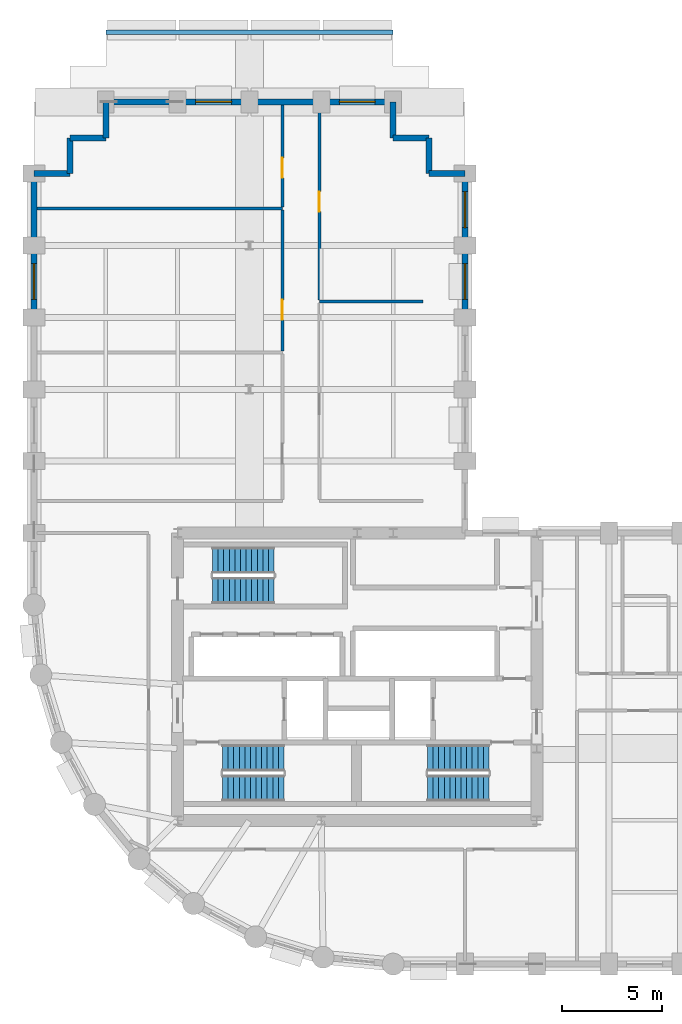
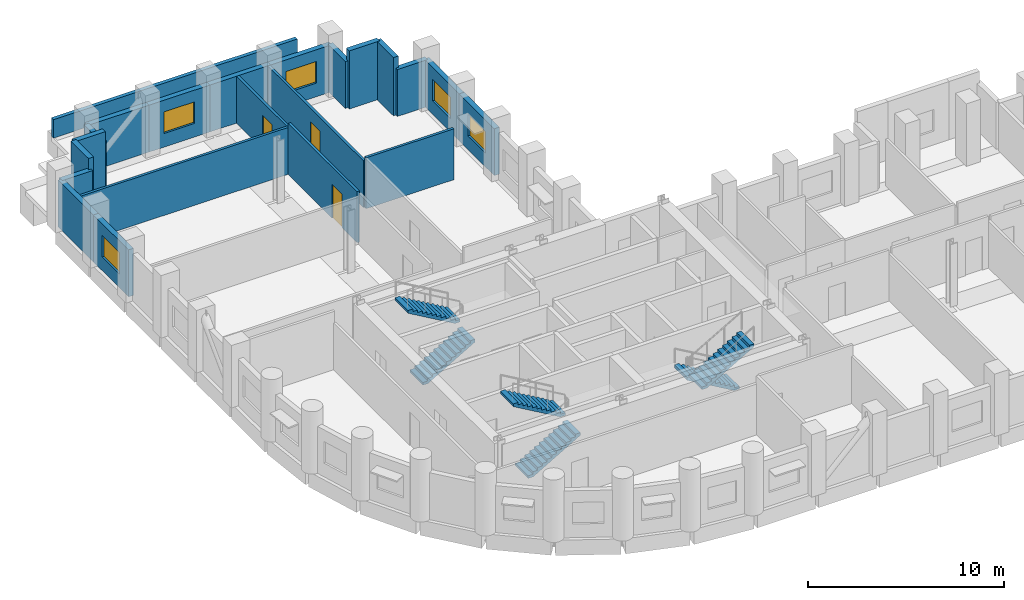
# One storey, part 7 of 9: 22 walls, 6 stair flights, 5 windows, 3 doors, 8 openings, 3 elements without a shape of their own.
"""IFC4 building model written with IfcOpenShell, lengths in metres."""

from ifc_helpers import new_model, si_unit, direction, frame, frame_2d, origin, place, context, subcontext, project, spatial, polyline, rectangle, outline, extrude, material, layer, layer_set, type_object, element, fill, aggregate, save


model = new_model("IFC4")

# Units and contexts
model_context = context("Model", 3, precision=1e-05, world=origin(), true_north=direction((0.0, 1.0)))
body_context = subcontext(model_context, "Body", "Model", "MODEL_VIEW")
ifc_project = project(units=[si_unit("LENGTHUNIT", "METRE"), si_unit("AREAUNIT", "SQUARE_METRE"), si_unit("VOLUMEUNIT", "CUBIC_METRE"), si_unit("PLANEANGLEUNIT", "RADIAN"), si_unit("MASSUNIT", "GRAM", prefix="KILO")], contexts=[model_context])

# Site, building, storey
site_placement = place(None, origin())
site = spatial("IfcSite", under=ifc_project, at=site_placement, CompositionType="ELEMENT")
building_placement = place(site_placement, origin())
building = spatial("IfcBuilding", under=site, at=building_placement, Name="Solnavia Interchange Tower", CompositionType="ELEMENT")
storey_placement = place(building_placement, frame((0.0, 0.0, 80.10009765625)))
storey = spatial("IfcBuildingStorey", under=building, at=storey_placement, Name="L19", CompositionType="ELEMENT", Elevation=80.10009765625)

# Wall, opening, window
ifc_material_1 = material(Name="Concrete C40/50", Category="concrete")
ifc_layer_1 = layer(ifc_material_1, 0.300048828125)
ifc_layer_set_1 = layer_set([ifc_layer_1], Name="Concrete C40/50")
wall_type_1 = type_object("IfcWallType", Name="Wall-ExtSpandrel-300", PredefinedType="STANDARD", material=ifc_layer_set_1)
wall_1_placement = place(storey_placement, frame((28.800048828125, 36.0, 0.0), z_axis=(0.0, 0.0, 1.0), x_axis=(0.0, 1.0, 0.0)))
wall_1 = element("IfcWall", 1, at=wall_1_placement, inside=storey, type_object=wall_type_1, Name="EXW-L19-35 Exterior precast spandrel wall", PredefinedType="STANDARD", context=body_context, shape_type="SweptSolid", body=[
    extrude(rectangle(XDim=3.60009765625, YDim=0.300048828125, at=frame_2d((1.800048828125, 0.0))), origin(), (0.0, 0.0, 1.0), 2.929931640625),
])
opening_1_placement = place(wall_1_placement, frame((0.89990234375, 0.0, 0.85009765625)))
opening_1 = element("IfcOpeningElement", 2, at=opening_1_placement, cuts=wall_1, Name="Opening WIN-02", PredefinedType="OPENING", context=body_context, shape_type="SweptSolid", body=[
    extrude(rectangle(XDim=1.800048828125, YDim=1.35009765625, at=frame_2d((0.89990234375, 0.675048828125))), frame((0.0, 0.16015625, 0.0), z_axis=(0.0, -1.0, 0.0), x_axis=(1.0, 0.0, 0.0)), (0.0, 0.0, 1.0), 0.320068359375),
])
ifc_material_2 = material(Name="Thermal-Break Aluminium & Low-E Glass", Category="aluminium")
window_type = type_object("IfcWindowType", Name="Window-Ribbon-1800x1350", PartitioningType="SINGLE_PANEL", PredefinedType="WINDOW", material=ifc_material_2)
window_1_placement = place(opening_1_placement, origin())
window_1 = element("IfcWindow", 3, at=window_1_placement, inside=storey, type_object=window_type, Name="WIN-L19-35 Facade ribbon window", OverallHeight=1.35009765625, OverallWidth=1.800048828125, PartitioningType="SINGLE_PANEL", PredefinedType="WINDOW", context=body_context, shape_type="SweptSolid", body=[
    extrude(rectangle(XDim=1.800048828125, YDim=1.35009765625, at=frame_2d((0.89990234375, 0.675048828125))), frame((0.0, 0.030029296875, 0.0), z_axis=(0.0, -1.0, 0.0), x_axis=(1.0, 0.0, 0.0)), (0.0, 0.0, 1.0), 0.06005859375),
])
fill(opening_1, window_1)

wall_2_placement = place(storey_placement, frame((28.800048828125, 39.60009765625, 0.0), z_axis=(0.0, 0.0, 1.0), x_axis=(0.0, 1.0, 0.0)))
wall_2 = element("IfcWall", 4, at=wall_2_placement, inside=storey, type_object=wall_type_1, Name="EXW-L19-36 Exterior precast spandrel wall", PredefinedType="STANDARD", context=body_context, shape_type="SweptSolid", body=[
    extrude(rectangle(XDim=3.599853515625, YDim=0.300048828125, at=frame_2d((1.7998046875, 0.0))), origin(), (0.0, 0.0, 1.0), 2.929931640625),
])
opening_2_placement = place(wall_2_placement, frame((0.89990234375, 0.0, 0.85009765625)))
opening_2 = element("IfcOpeningElement", 5, at=opening_2_placement, cuts=wall_2, Name="Opening WIN-02", PredefinedType="OPENING", context=body_context, shape_type="SweptSolid", body=[
    extrude(rectangle(XDim=1.800048828125, YDim=1.35009765625, at=frame_2d((0.89990234375, 0.675048828125))), frame((0.0, 0.16015625, 0.0), z_axis=(0.0, -1.0, 0.0), x_axis=(1.0, 0.0, 0.0)), (0.0, 0.0, 1.0), 0.320068359375),
])
window_2_placement = place(opening_2_placement, origin())
window_2 = element("IfcWindow", 6, at=window_2_placement, inside=storey, type_object=window_type, Name="WIN-L19-36 Facade ribbon window", OverallHeight=1.35009765625, OverallWidth=1.800048828125, PartitioningType="SINGLE_PANEL", PredefinedType="WINDOW", context=body_context, shape_type="SweptSolid", body=[
    extrude(rectangle(XDim=1.800048828125, YDim=1.35009765625, at=frame_2d((0.89990234375, 0.675048828125))), frame((0.0, 0.030029296875, 0.0), z_axis=(0.0, -1.0, 0.0), x_axis=(1.0, 0.0, 0.0)), (0.0, 0.0, 1.0), 0.06005859375),
])
fill(opening_2, window_2)

# Walls
wall_3_placement = place(storey_placement, frame((27.0, 43.199951171875, 0.0), z_axis=(0.0, 0.0, 1.0), x_axis=(1.0, 0.0, 0.0)))
element("IfcWall", 7, at=wall_3_placement, inside=storey, type_object=wall_type_1, Name="EXW-L19-37 Exterior precast spandrel wall", PredefinedType="STANDARD", context=body_context, shape_type="SweptSolid", body=[
    extrude(rectangle(XDim=1.800048828125, YDim=0.300048828125, at=frame_2d((0.89990234375, 0.0))), origin(), (0.0, 0.0, 1.0), 2.929931640625),
])
for number, where, z_axis, x_axis, name in (
    (8, (27.0, 43.199951171875, 0.0), (0.0, 0.0, 1.0), (0.0, 1.0, 0.0), "EXW-L19-38 Exterior precast spandrel wall"),
    (9, (25.199951171875, 45.0, 0.0), (0.0, 0.0, 1.0), (1.0, 0.0, 0.0), "EXW-L19-39 Exterior precast spandrel wall"),
):
    element("IfcWall", number, at=place(storey_placement, frame(where, z_axis=z_axis, x_axis=x_axis)), inside=storey, type_object=wall_type_1, Name=name, PredefinedType="STANDARD", context=body_context, shape_type="SweptSolid", body=[
        extrude(rectangle(XDim=1.800048828125, YDim=0.300048828125, at=frame_2d((0.89990234375, 0.0))), origin(), (0.0, 0.0, 1.0), 3.635009765625),
    ])
wall_4_placement = place(storey_placement, frame((25.199951171875, 45.0, 0.0), z_axis=(0.0, 0.0, 1.0), x_axis=(0.0, 1.0, 0.0)))
element("IfcWall", 10, at=wall_4_placement, inside=storey, type_object=wall_type_1, Name="EXW-L19-40 Exterior precast spandrel wall", PredefinedType="STANDARD", context=body_context, shape_type="SweptSolid", body=[
    extrude(rectangle(XDim=1.800048828125, YDim=0.300048828125, at=frame_2d((0.89990234375, 0.0))), origin(), (0.0, 0.0, 1.0), 2.929931640625),
])

# Wall, opening, window
wall_5_placement = place(storey_placement, frame((21.60009765625, 46.800048828125, 0.0), z_axis=(0.0, 0.0, 1.0), x_axis=(1.0, 0.0, 0.0)))
wall_5 = element("IfcWall", 11, at=wall_5_placement, inside=storey, type_object=wall_type_1, Name="EXW-L19-41 Exterior precast spandrel wall", PredefinedType="STANDARD", context=body_context, shape_type="SweptSolid", body=[
    extrude(rectangle(XDim=3.599853515625, YDim=0.300048828125, at=frame_2d((1.7998046875, 0.0))), origin(), (0.0, 0.0, 1.0), 2.929931640625),
])
opening_3_placement = place(wall_5_placement, frame((0.89990234375, 0.0, 0.85009765625)))
opening_3 = element("IfcOpeningElement", 12, at=opening_3_placement, cuts=wall_5, Name="Opening WIN-02", PredefinedType="OPENING", context=body_context, shape_type="SweptSolid", body=[
    extrude(rectangle(XDim=1.800048828125, YDim=1.35009765625, at=frame_2d((0.89990234375, 0.675048828125))), frame((0.0, 0.16015625, 0.0), z_axis=(0.0, -1.0, 0.0), x_axis=(1.0, 0.0, 0.0)), (0.0, 0.0, 1.0), 0.320068359375),
])
window_3_placement = place(opening_3_placement, origin())
window_3 = element("IfcWindow", 13, at=window_3_placement, inside=storey, type_object=window_type, Name="WIN-L19-41 Facade ribbon window", OverallHeight=1.35009765625, OverallWidth=1.800048828125, PartitioningType="SINGLE_PANEL", PredefinedType="WINDOW", context=body_context, shape_type="SweptSolid", body=[
    extrude(rectangle(XDim=1.800048828125, YDim=1.35009765625, at=frame_2d((0.89990234375, 0.675048828125))), frame((0.0, 0.030029296875, 0.0), z_axis=(0.0, -1.0, 0.0), x_axis=(1.0, 0.0, 0.0)), (0.0, 0.0, 1.0), 0.06005859375),
])
fill(opening_3, window_3)

# Wall
wall_6_placement = place(storey_placement, frame((18.0, 46.800048828125, 0.0), z_axis=(0.0, 0.0, 1.0), x_axis=(1.0, 0.0, 0.0)))
element("IfcWall", 14, at=wall_6_placement, inside=storey, type_object=wall_type_1, Name="EXW-L19-42 Exterior precast spandrel wall", PredefinedType="STANDARD", context=body_context, shape_type="SweptSolid", body=[
    extrude(rectangle(XDim=3.60009765625, YDim=0.300048828125, at=frame_2d((1.800048828125, 0.0))), origin(), (0.0, 0.0, 1.0), 2.929931640625),
])

# Wall, opening, window
wall_7_placement = place(storey_placement, frame((14.39990234375, 46.800048828125, 0.0), z_axis=(0.0, 0.0, 1.0), x_axis=(1.0, 0.0, 0.0)))
wall_7 = element("IfcWall", 15, at=wall_7_placement, inside=storey, type_object=wall_type_1, Name="EXW-L19-43 Exterior precast spandrel wall", PredefinedType="STANDARD", context=body_context, shape_type="SweptSolid", body=[
    extrude(rectangle(XDim=3.60009765625, YDim=0.300048828125, at=frame_2d((1.800048828125, 0.0))), origin(), (0.0, 0.0, 1.0), 2.929931640625),
])
opening_4_placement = place(wall_7_placement, frame((0.89990234375, 0.0, 0.85009765625)))
opening_4 = element("IfcOpeningElement", 16, at=opening_4_placement, cuts=wall_7, Name="Opening WIN-02", PredefinedType="OPENING", context=body_context, shape_type="SweptSolid", body=[
    extrude(rectangle(XDim=1.800048828125, YDim=1.35009765625, at=frame_2d((0.89990234375, 0.675048828125))), frame((0.0, 0.16015625, 0.0), z_axis=(0.0, -1.0, 0.0), x_axis=(1.0, 0.0, 0.0)), (0.0, 0.0, 1.0), 0.320068359375),
])
window_4_placement = place(opening_4_placement, origin())
window_4 = element("IfcWindow", 17, at=window_4_placement, inside=storey, type_object=window_type, Name="WIN-L19-43 Facade ribbon window", OverallHeight=1.35009765625, OverallWidth=1.800048828125, PartitioningType="SINGLE_PANEL", PredefinedType="WINDOW", context=body_context, shape_type="SweptSolid", body=[
    extrude(rectangle(XDim=1.800048828125, YDim=1.35009765625, at=frame_2d((0.89990234375, 0.675048828125))), frame((0.0, 0.030029296875, 0.0), z_axis=(0.0, -1.0, 0.0), x_axis=(1.0, 0.0, 0.0)), (0.0, 0.0, 1.0), 0.06005859375),
])
fill(opening_4, window_4)

# Walls
wall_8_placement = place(storey_placement, frame((10.800048828125, 46.800048828125, 0.0), z_axis=(0.0, 0.0, 1.0), x_axis=(1.0, 0.0, 0.0)))
element("IfcWall", 18, at=wall_8_placement, inside=storey, type_object=wall_type_1, Name="EXW-L19-44 Exterior precast spandrel wall", PredefinedType="STANDARD", context=body_context, shape_type="SweptSolid", body=[
    extrude(rectangle(XDim=3.599853515625, YDim=0.300048828125, at=frame_2d((1.7998046875, 0.0))), origin(), (0.0, 0.0, 1.0), 2.929931640625),
])
wall_9_placement = place(storey_placement, frame((10.800048828125, 45.0, 0.0), z_axis=(0.0, 0.0, 1.0), x_axis=(0.0, 1.0, 0.0)))
element("IfcWall", 19, at=wall_9_placement, inside=storey, type_object=wall_type_1, Name="EXW-L19-45 Exterior precast spandrel wall", PredefinedType="STANDARD", context=body_context, shape_type="SweptSolid", body=[
    extrude(rectangle(XDim=1.800048828125, YDim=0.300048828125, at=frame_2d((0.89990234375, 0.0))), origin(), (0.0, 0.0, 1.0), 2.929931640625),
])
for number, where, z_axis, x_axis, name in (
    (20, (9.0, 45.0, 0.0), (0.0, 0.0, 1.0), (1.0, 0.0, 0.0), "EXW-L19-46 Exterior precast spandrel wall"),
    (21, (9.0, 43.199951171875, 0.0), (0.0, 0.0, 1.0), (0.0, 1.0, 0.0), "EXW-L19-47 Exterior precast spandrel wall"),
):
    element("IfcWall", number, at=place(storey_placement, frame(where, z_axis=z_axis, x_axis=x_axis)), inside=storey, type_object=wall_type_1, Name=name, PredefinedType="STANDARD", context=body_context, shape_type="SweptSolid", body=[
        extrude(rectangle(XDim=1.800048828125, YDim=0.300048828125, at=frame_2d((0.89990234375, 0.0))), origin(), (0.0, 0.0, 1.0), 3.635009765625),
    ])
wall_10_placement = place(storey_placement, frame((7.199951171875, 43.199951171875, 0.0), z_axis=(0.0, 0.0, 1.0), x_axis=(1.0, 0.0, 0.0)))
element("IfcWall", 22, at=wall_10_placement, inside=storey, type_object=wall_type_1, Name="EXW-L19-48 Exterior precast spandrel wall", PredefinedType="STANDARD", context=body_context, shape_type="SweptSolid", body=[
    extrude(rectangle(XDim=1.800048828125, YDim=0.300048828125, at=frame_2d((0.89990234375, 0.0))), origin(), (0.0, 0.0, 1.0), 2.929931640625),
])
wall_11_placement = place(storey_placement, frame((7.199951171875, 39.60009765625, 0.0), z_axis=(0.0, 0.0, 1.0), x_axis=(0.0, 1.0, 0.0)))
element("IfcWall", 23, at=wall_11_placement, inside=storey, type_object=wall_type_1, Name="EXW-L19-49 Exterior precast spandrel wall", PredefinedType="STANDARD", context=body_context, shape_type="SweptSolid", body=[
    extrude(rectangle(XDim=3.599853515625, YDim=0.300048828125, at=frame_2d((1.7998046875, 0.0))), origin(), (0.0, 0.0, 1.0), 2.929931640625),
])

# Wall, opening, window
wall_12_placement = place(storey_placement, frame((7.199951171875, 36.0, 0.0), z_axis=(0.0, 0.0, 1.0), x_axis=(0.0, 1.0, 0.0)))
wall_12 = element("IfcWall", 24, at=wall_12_placement, inside=storey, type_object=wall_type_1, Name="EXW-L19-50 Exterior precast spandrel wall", PredefinedType="STANDARD", context=body_context, shape_type="SweptSolid", body=[
    extrude(rectangle(XDim=3.60009765625, YDim=0.300048828125, at=frame_2d((1.800048828125, 0.0))), origin(), (0.0, 0.0, 1.0), 2.929931640625),
])
opening_5_placement = place(wall_12_placement, frame((0.89990234375, 0.0, 0.85009765625)))
opening_5 = element("IfcOpeningElement", 25, at=opening_5_placement, cuts=wall_12, Name="Opening WIN-02", PredefinedType="OPENING", context=body_context, shape_type="SweptSolid", body=[
    extrude(rectangle(XDim=1.800048828125, YDim=1.35009765625, at=frame_2d((0.89990234375, 0.675048828125))), frame((0.0, 0.16015625, 0.0), z_axis=(0.0, -1.0, 0.0), x_axis=(1.0, 0.0, 0.0)), (0.0, 0.0, 1.0), 0.320068359375),
])
window_5_placement = place(opening_5_placement, origin())
window_5 = element("IfcWindow", 26, at=window_5_placement, inside=storey, type_object=window_type, Name="WIN-L19-50 Facade ribbon window", OverallHeight=1.35009765625, OverallWidth=1.800048828125, PartitioningType="SINGLE_PANEL", PredefinedType="WINDOW", context=body_context, shape_type="SweptSolid", body=[
    extrude(rectangle(XDim=1.800048828125, YDim=1.35009765625, at=frame_2d((0.89990234375, 0.675048828125))), frame((0.0, 0.030029296875, 0.0), z_axis=(0.0, -1.0, 0.0), x_axis=(1.0, 0.0, 0.0)), (0.0, 0.0, 1.0), 0.06005859375),
])
fill(opening_5, window_5)

# Walls
ifc_layer_2 = layer(ifc_material_1, 0.219970703125)
ifc_layer_set_2 = layer_set([ifc_layer_2], Name="Concrete C40/50")
wall_type_2 = type_object("IfcWallType", Name="Wall-Parapet-220", PredefinedType="PARAPET", material=ifc_layer_set_2)
wall_13_placement = place(storey_placement, frame((10.800048828125, 50.280029296875, 0.0), z_axis=(0.0, 0.0, 1.0), x_axis=(1.0, 0.0, 0.0)))
element("IfcWall", 27, at=wall_13_placement, inside=storey, type_object=wall_type_2, Name="PRP-L19-N1 North setback roof parapet", PredefinedType="PARAPET", context=body_context, shape_type="SweptSolid", body=[
    extrude(rectangle(XDim=14.39990234375, YDim=0.219970703125, at=frame_2d((7.199951171875, 0.0))), origin(), (0.0, 0.0, 1.0), 1.14990234375),
])
ifc_material_3 = material(Name="Gypsum Plasterboard & Steel Stud", Category="steel")
ifc_layer_3 = layer(ifc_material_3, 0.14990234375)
ifc_layer_set_3 = layer_set([ifc_layer_3], Name="Gypsum Plasterboard & Steel Stud")
wall_type_3 = type_object("IfcWallType", Name="Wall-Partition-150", PredefinedType="PARTITIONING", material=ifc_layer_set_3)
wall_14_placement = place(storey_placement, frame((7.35400390625, 41.449951171875, 0.0), z_axis=(0.0, 0.0, 1.0), x_axis=(1.0, 0.0, 0.0)))
element("IfcWall", 28, at=wall_14_placement, inside=storey, type_object=wall_type_3, Name="PTW-L19-28 Interior partition wall", PredefinedType="PARTITIONING", context=body_context, shape_type="SweptSolid", body=[
    extrude(rectangle(XDim=12.2958984375, YDim=0.14990234375, at=frame_2d((6.14794921875, 0.0))), origin(), (0.0, 0.0, 1.0), 2.929931640625),
])

# Wall, opening, door
wall_15_placement = place(storey_placement, frame((19.64990234375, 34.3291015625, 0.0), z_axis=(0.0, 0.0, 1.0), x_axis=(0.0, 1.0, 0.0)))
wall_15 = element("IfcWall", 29, at=wall_15_placement, inside=storey, type_object=wall_type_3, Name="PTW-L19-29 Interior partition wall", PredefinedType="PARTITIONING", context=body_context, shape_type="SweptSolid", body=[
    extrude(rectangle(XDim=7.0419921875, YDim=0.14990234375, at=frame_2d((3.52099609375, 0.0))), origin(), (0.0, 0.0, 1.0), 3.18994140625),
])
opening_6_placement = place(wall_15_placement, frame((1.552001953125, 0.0, 0.0)))
opening_6 = element("IfcOpeningElement", 30, at=opening_6_placement, cuts=wall_15, Name="Opening DR-07", PredefinedType="OPENING", context=body_context, shape_type="SweptSolid", body=[
    extrude(rectangle(XDim=1.0, YDim=2.10009765625, at=frame_2d((0.5, 1.050048828125))), frame((0.0, 0.0849609375, 0.0), z_axis=(0.0, -1.0, 0.0), x_axis=(1.0, 0.0, 0.0)), (0.0, 0.0, 1.0), 0.169921875),
])
ifc_material_4 = material(Name="Timber & Acoustic Glazed Office Door", Category="wood")
door_type = type_object("IfcDoorType", Name="Door-Office-1000x2100", OperationType="SINGLE_SWING_RIGHT", PredefinedType="DOOR", material=ifc_material_4)
door_1_placement = place(opening_6_placement, origin())
door_1 = element("IfcDoor", 31, at=door_1_placement, inside=storey, type_object=door_type, Name="DR-L19-13 Interior room door", OperationType="SINGLE_SWING_RIGHT", OverallHeight=2.10009765625, OverallWidth=1.0, PredefinedType="DOOR", context=body_context, shape_type="SweptSolid", body=[
    extrude(rectangle(XDim=1.0, YDim=2.10009765625, at=frame_2d((0.5, 1.050048828125))), frame((0.0, 0.02490234375, 0.0), z_axis=(0.0, -1.0, 0.0), x_axis=(1.0, 0.0, 0.0)), (0.0, 0.0, 1.0), 0.050048828125),
])
fill(opening_6, door_1)

wall_16_placement = place(storey_placement, frame((19.64990234375, 41.529052734375, 0.0), z_axis=(0.0, 0.0, 1.0), x_axis=(0.0, 1.0, 0.0)))
wall_16 = element("IfcWall", 32, at=wall_16_placement, inside=storey, type_object=wall_type_3, Name="PTW-L19-30 Interior partition wall", PredefinedType="PARTITIONING", context=body_context, shape_type="SweptSolid", body=[
    extrude(rectangle(XDim=5.116943359375, YDim=0.14990234375, at=frame_2d((2.55859375, 0.0))), origin(), (0.0, 0.0, 1.0), 2.929931640625),
])
opening_7_placement = place(wall_16_placement, frame((1.465087890625, 0.0, 0.0)))
opening_7 = element("IfcOpeningElement", 33, at=opening_7_placement, cuts=wall_16, Name="Opening DR-07", PredefinedType="OPENING", context=body_context, shape_type="SweptSolid", body=[
    extrude(rectangle(XDim=1.0, YDim=2.10009765625, at=frame_2d((0.5, 1.050048828125))), frame((0.0, 0.0849609375, 0.0), z_axis=(0.0, -1.0, 0.0), x_axis=(1.0, 0.0, 0.0)), (0.0, 0.0, 1.0), 0.169921875),
])
door_2_placement = place(opening_7_placement, origin())
door_2 = element("IfcDoor", 34, at=door_2_placement, inside=storey, type_object=door_type, Name="DR-L19-14 Interior room door", OperationType="SINGLE_SWING_RIGHT", OverallHeight=2.10009765625, OverallWidth=1.0, PredefinedType="DOOR", context=body_context, shape_type="SweptSolid", body=[
    extrude(rectangle(XDim=1.0, YDim=2.10009765625, at=frame_2d((0.5, 1.050048828125))), frame((0.0, 0.02490234375, 0.0), z_axis=(0.0, -1.0, 0.0), x_axis=(1.0, 0.0, 0.0)), (0.0, 0.0, 1.0), 0.050048828125),
])
fill(opening_7, door_2)

# Wall
wall_17_placement = place(storey_placement, frame((21.5, 36.800048828125, 0.0), z_axis=(0.0, 0.0, 1.0), x_axis=(1.0, 0.0, 0.0)))
element("IfcWall", 35, at=wall_17_placement, inside=storey, type_object=wall_type_3, Name="PTW-L19-32 Interior partition wall", PredefinedType="PARTITIONING", context=body_context, shape_type="SweptSolid", body=[
    extrude(rectangle(XDim=5.199951171875, YDim=0.14990234375, at=frame_2d((2.60009765625, 0.0))), origin(), (0.0, 0.0, 1.0), 3.179931640625),
])

# Wall, opening, door
wall_18_placement = place(storey_placement, frame((21.5, 36.87890625, 0.0), z_axis=(0.0, 0.0, 1.0), x_axis=(0.0, 1.0, 0.0)))
wall_18 = element("IfcWall", 36, at=wall_18_placement, inside=storey, type_object=wall_type_3, Name="PTW-L19-34 Interior partition wall", PredefinedType="PARTITIONING", context=body_context, shape_type="SweptSolid", body=[
    extrude(rectangle(XDim=9.76708984375, YDim=0.14990234375, at=frame_2d((4.883544921875, 0.0))), origin(), (0.0, 0.0, 1.0), 2.929931640625),
])
opening_8_placement = place(wall_18_placement, frame((4.4208984375, 0.0, 0.0)))
opening_8 = element("IfcOpeningElement", 37, at=opening_8_placement, cuts=wall_18, Name="Opening DR-07", PredefinedType="OPENING", context=body_context, shape_type="SweptSolid", body=[
    extrude(rectangle(XDim=1.0, YDim=2.10009765625, at=frame_2d((0.5, 1.050048828125))), frame((0.0, 0.0849609375, 0.0), z_axis=(0.0, -1.0, 0.0), x_axis=(1.0, 0.0, 0.0)), (0.0, 0.0, 1.0), 0.169921875),
])
door_3_placement = place(opening_8_placement, origin())
door_3 = element("IfcDoor", 38, at=door_3_placement, inside=storey, type_object=door_type, Name="DR-L19-16 Interior room door", OperationType="SINGLE_SWING_LEFT", OverallHeight=2.10009765625, OverallWidth=1.0, PredefinedType="DOOR", context=body_context, shape_type="SweptSolid", body=[
    extrude(rectangle(XDim=1.0, YDim=2.10009765625, at=frame_2d((0.5, 1.050048828125))), frame((0.0, 0.02490234375, 0.0), z_axis=(0.0, -1.0, 0.0), x_axis=(1.0, 0.0, 0.0)), (0.0, 0.0, 1.0), 0.050048828125),
])
fill(opening_8, door_3)

# Stair, stair flights
stair_type = type_object("IfcStairType", Name="Stair-Dogleg-RC", PredefinedType="HALF_TURN_STAIR", material=ifc_material_1)
stair_1_placement = place(storey_placement, origin())
stair_1 = element("IfcStair", 39, at=stair_1_placement, inside=storey, type_object=stair_type, Name="L19 Core exit stair 1", PredefinedType="HALF_TURN_STAIR")
stair_flight_type = type_object("IfcStairFlightType", Name="StairFlight-RC-150", PredefinedType="STRAIGHT", material=ifc_material_1)
stair_flight_1_placement = place(storey_placement, frame((16.64990234375, 12.409912109375, 0.0), z_axis=(0.0, 0.0, 1.0), x_axis=(1.0, 0.0, 0.0)))
stair_flight_1 = element("IfcStairFlight", 40, at=stair_flight_1_placement, type_object=stair_flight_type, Name="ST-1 flight 1", NumberOfRisers=12, NumberOfTreads=11, PredefinedType="STRAIGHT", RiserHeight=0.1625, TreadLength=0.28, context=body_context, shape_type="SweptSolid", body=[
    extrude(outline(polyline([(0.0, 0.0), (0.0, 0.16259765625), (0.280029296875, 0.16259765625), (0.280029296875, 0.324951171875), (0.56005859375, 0.324951171875), (0.56005859375, 0.487548828125), (0.840087890625, 0.487548828125), (0.840087890625, 0.64990234375), (1.1201171875, 0.64990234375), (1.1201171875, 0.8125), (1.39990234375, 0.8125), (1.39990234375, 0.97509765625), (1.679931640625, 0.97509765625), (1.679931640625, 1.137451171875), (1.9599609375, 1.137451171875), (1.9599609375, 1.300048828125), (2.239990234375, 1.300048828125), (2.239990234375, 1.46240234375), (2.52001953125, 1.46240234375), (2.52001953125, 1.625), (2.800048828125, 1.625), (2.800048828125, 1.78759765625), (3.080078125, 1.78759765625), (3.080078125, 1.949951171875), (3.080078125, 1.6142578125), (0.298583984375, 0.0), (0.0, 0.0)])), frame((0.0, 0.66015625, 0.0), z_axis=(0.0, -1.0, 0.0), x_axis=(1.0, 0.0, 0.0)), (0.0, 0.0, 1.0), 1.320068359375),
])
stair_flight_2_placement = place(storey_placement, frame((19.72998046875, 13.929931640625, 1.949951171875), z_axis=(0.0, 0.0, 1.0), x_axis=(-1.0, 0.0, 0.0)))
stair_flight_2 = element("IfcStairFlight", 41, at=stair_flight_2_placement, type_object=stair_flight_type, Name="ST-1 flight 2", NumberOfRisers=12, NumberOfTreads=11, PredefinedType="STRAIGHT", RiserHeight=0.1625, TreadLength=0.28, context=body_context, shape_type="SweptSolid", body=[
    extrude(outline(polyline([(0.0, 0.0), (0.0, 0.16259765625), (0.280029296875, 0.16259765625), (0.280029296875, 0.324951171875), (0.56005859375, 0.324951171875), (0.56005859375, 0.487548828125), (0.840087890625, 0.487548828125), (0.840087890625, 0.64990234375), (1.1201171875, 0.64990234375), (1.1201171875, 0.8125), (1.39990234375, 0.8125), (1.39990234375, 0.97509765625), (1.679931640625, 0.97509765625), (1.679931640625, 1.137451171875), (1.9599609375, 1.137451171875), (1.9599609375, 1.300048828125), (2.239990234375, 1.300048828125), (2.239990234375, 1.46240234375), (2.52001953125, 1.46240234375), (2.52001953125, 1.625), (2.800048828125, 1.625), (2.800048828125, 1.78759765625), (3.080078125, 1.78759765625), (3.080078125, 1.949951171875), (3.080078125, 1.6142578125), (0.298583984375, 0.0), (0.0, 0.0)])), frame((0.0, 0.66015625, 0.0), z_axis=(0.0, -1.0, 0.0), x_axis=(1.0, 0.0, 0.0)), (0.0, 0.0, 1.0), 1.320068359375),
])
aggregate(stair_1, [stair_flight_1, stair_flight_2])

stair_2_placement = place(storey_placement, origin())
stair_2 = element("IfcStair", 42, at=stair_2_placement, inside=storey, type_object=stair_type, Name="L19 Core exit stair 2", PredefinedType="HALF_TURN_STAIR")
stair_flight_3_placement = place(storey_placement, frame((30.0, 13.929931640625, 0.0), z_axis=(0.0, 0.0, 1.0), x_axis=(-1.0, 0.0, 0.0)))
stair_flight_3 = element("IfcStairFlight", 43, at=stair_flight_3_placement, type_object=stair_flight_type, Name="ST-2 flight 1", NumberOfRisers=12, NumberOfTreads=11, PredefinedType="STRAIGHT", RiserHeight=0.1625, TreadLength=0.28, context=body_context, shape_type="SweptSolid", body=[
    extrude(outline(polyline([(0.0, 0.0), (0.0, 0.16259765625), (0.280029296875, 0.16259765625), (0.280029296875, 0.324951171875), (0.56005859375, 0.324951171875), (0.56005859375, 0.487548828125), (0.840087890625, 0.487548828125), (0.840087890625, 0.64990234375), (1.1201171875, 0.64990234375), (1.1201171875, 0.8125), (1.39990234375, 0.8125), (1.39990234375, 0.97509765625), (1.679931640625, 0.97509765625), (1.679931640625, 1.137451171875), (1.9599609375, 1.137451171875), (1.9599609375, 1.300048828125), (2.239990234375, 1.300048828125), (2.239990234375, 1.46240234375), (2.52001953125, 1.46240234375), (2.52001953125, 1.625), (2.800048828125, 1.625), (2.800048828125, 1.78759765625), (3.080078125, 1.78759765625), (3.080078125, 1.949951171875), (3.080078125, 1.6142578125), (0.298583984375, 0.0), (0.0, 0.0)])), frame((0.0, 0.66015625, 0.0), z_axis=(0.0, -1.0, 0.0), x_axis=(1.0, 0.0, 0.0)), (0.0, 0.0, 1.0), 1.320068359375),
])
stair_flight_4_placement = place(storey_placement, frame((26.919921875, 12.409912109375, 1.949951171875), z_axis=(0.0, 0.0, 1.0), x_axis=(1.0, 0.0, 0.0)))
stair_flight_4 = element("IfcStairFlight", 44, at=stair_flight_4_placement, type_object=stair_flight_type, Name="ST-2 flight 2", NumberOfRisers=12, NumberOfTreads=11, PredefinedType="STRAIGHT", RiserHeight=0.1625, TreadLength=0.28, context=body_context, shape_type="SweptSolid", body=[
    extrude(outline(polyline([(0.0, 0.0), (0.0, 0.16259765625), (0.280029296875, 0.16259765625), (0.280029296875, 0.324951171875), (0.56005859375, 0.324951171875), (0.56005859375, 0.487548828125), (0.840087890625, 0.487548828125), (0.840087890625, 0.64990234375), (1.1201171875, 0.64990234375), (1.1201171875, 0.8125), (1.39990234375, 0.8125), (1.39990234375, 0.97509765625), (1.679931640625, 0.97509765625), (1.679931640625, 1.137451171875), (1.9599609375, 1.137451171875), (1.9599609375, 1.300048828125), (2.239990234375, 1.300048828125), (2.239990234375, 1.46240234375), (2.52001953125, 1.46240234375), (2.52001953125, 1.625), (2.800048828125, 1.625), (2.800048828125, 1.78759765625), (3.080078125, 1.78759765625), (3.080078125, 1.949951171875), (3.080078125, 1.6142578125), (0.298583984375, 0.0), (0.0, 0.0)])), frame((0.0, 0.66015625, 0.0), z_axis=(0.0, -1.0, 0.0), x_axis=(1.0, 0.0, 0.0)), (0.0, 0.0, 1.0), 1.320068359375),
])
aggregate(stair_2, [stair_flight_3, stair_flight_4])

stair_3_placement = place(storey_placement, origin())
stair_3 = element("IfcStair", 45, at=stair_3_placement, inside=storey, type_object=stair_type, Name="L19 Core exit stair 3", PredefinedType="HALF_TURN_STAIR")
stair_flight_5_placement = place(storey_placement, frame((16.14990234375, 22.31005859375, 0.0), z_axis=(0.0, 0.0, 1.0), x_axis=(1.0, 0.0, 0.0)))
stair_flight_5 = element("IfcStairFlight", 46, at=stair_flight_5_placement, type_object=stair_flight_type, Name="ST-3 flight 1", NumberOfRisers=12, NumberOfTreads=11, PredefinedType="STRAIGHT", RiserHeight=0.1625, TreadLength=0.28, context=body_context, shape_type="SweptSolid", body=[
    extrude(outline(polyline([(0.0, 0.0), (0.0, 0.16259765625), (0.280029296875, 0.16259765625), (0.280029296875, 0.324951171875), (0.56005859375, 0.324951171875), (0.56005859375, 0.487548828125), (0.840087890625, 0.487548828125), (0.840087890625, 0.64990234375), (1.1201171875, 0.64990234375), (1.1201171875, 0.8125), (1.39990234375, 0.8125), (1.39990234375, 0.97509765625), (1.679931640625, 0.97509765625), (1.679931640625, 1.137451171875), (1.9599609375, 1.137451171875), (1.9599609375, 1.300048828125), (2.239990234375, 1.300048828125), (2.239990234375, 1.46240234375), (2.52001953125, 1.46240234375), (2.52001953125, 1.625), (2.800048828125, 1.625), (2.800048828125, 1.78759765625), (3.080078125, 1.78759765625), (3.080078125, 1.949951171875), (3.080078125, 1.6142578125), (0.298583984375, 0.0), (0.0, 0.0)])), frame((0.0, 0.66015625, 0.0), z_axis=(0.0, -1.0, 0.0), x_axis=(1.0, 0.0, 0.0)), (0.0, 0.0, 1.0), 1.320068359375),
])
stair_flight_6_placement = place(storey_placement, frame((19.22998046875, 23.830078125, 1.949951171875), z_axis=(0.0, 0.0, 1.0), x_axis=(-1.0, 0.0, 0.0)))
stair_flight_6 = element("IfcStairFlight", 47, at=stair_flight_6_placement, type_object=stair_flight_type, Name="ST-3 flight 2", NumberOfRisers=12, NumberOfTreads=11, PredefinedType="STRAIGHT", RiserHeight=0.1625, TreadLength=0.28, context=body_context, shape_type="SweptSolid", body=[
    extrude(outline(polyline([(0.0, 0.0), (0.0, 0.16259765625), (0.280029296875, 0.16259765625), (0.280029296875, 0.324951171875), (0.56005859375, 0.324951171875), (0.56005859375, 0.487548828125), (0.840087890625, 0.487548828125), (0.840087890625, 0.64990234375), (1.1201171875, 0.64990234375), (1.1201171875, 0.8125), (1.39990234375, 0.8125), (1.39990234375, 0.97509765625), (1.679931640625, 0.97509765625), (1.679931640625, 1.137451171875), (1.9599609375, 1.137451171875), (1.9599609375, 1.300048828125), (2.239990234375, 1.300048828125), (2.239990234375, 1.46240234375), (2.52001953125, 1.46240234375), (2.52001953125, 1.625), (2.800048828125, 1.625), (2.800048828125, 1.78759765625), (3.080078125, 1.78759765625), (3.080078125, 1.949951171875), (3.080078125, 1.6142578125), (0.298583984375, 0.0), (0.0, 0.0)])), frame((0.0, 0.66015625, 0.0), z_axis=(0.0, -1.0, 0.0), x_axis=(1.0, 0.0, 0.0)), (0.0, 0.0, 1.0), 1.320068359375),
])
aggregate(stair_3, [stair_flight_5, stair_flight_6])

save(model, "model.ifc")
